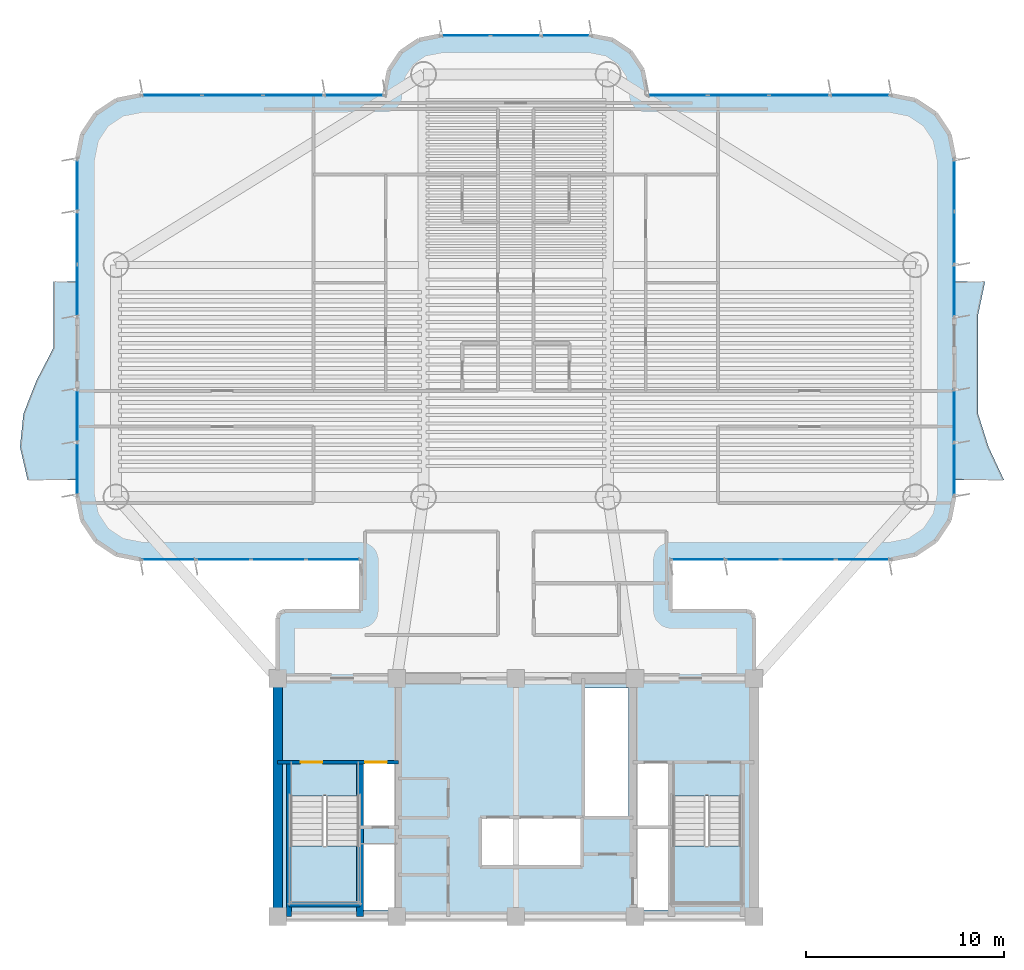
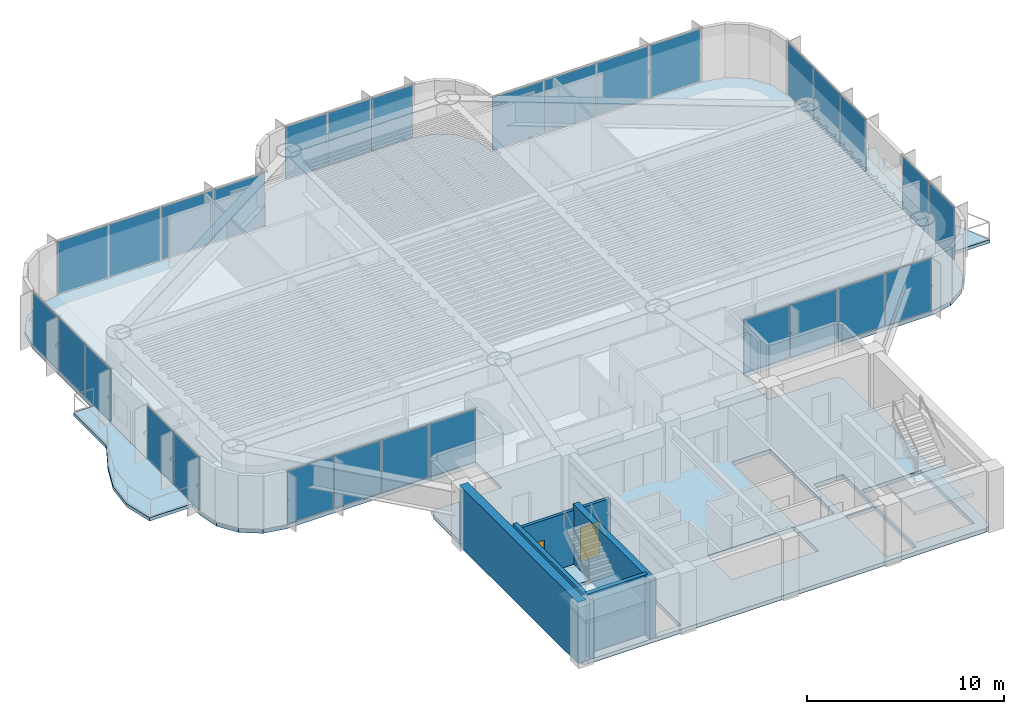
# One storey, part 7 of 15: 29 plates, 5 slabs, 5 walls, 2 doors, 2 openings, 11 elements without a shape of their own.
"""IFC4 building model written with IfcOpenShell, lengths in metres."""

from ifc_helpers import new_model, si_unit, direction, frame, frame_2d, origin, origin_2d, place, context, subcontext, project, spatial, polyline, rectangle, outline, extrude, source, transform, mapped, material, layer, layer_set, type_object, element, fill, aggregate, save


model = new_model("IFC4")

# Units and contexts
model_context = context("Model", 3, precision=1e-05, world=origin(), true_north=direction((0.0, 1.0)))
body_context = subcontext(model_context, "Body", "Model", "MODEL_VIEW")
ifc_project = project(units=[si_unit("LENGTHUNIT", "METRE"), si_unit("AREAUNIT", "SQUARE_METRE"), si_unit("VOLUMEUNIT", "CUBIC_METRE"), si_unit("PLANEANGLEUNIT", "RADIAN"), si_unit("MASSUNIT", "GRAM", prefix="KILO")], contexts=[model_context])

# Site, building, storey
site_placement = place(None, origin())
site = spatial("IfcSite", under=ifc_project, at=site_placement, CompositionType="ELEMENT")
building_placement = place(site_placement, origin())
building = spatial("IfcBuilding", under=site, at=building_placement, Name="Brelvock Crest Care Tower", CompositionType="ELEMENT")
storey_placement = place(building_placement, frame((0.0, 0.0, 142.739990234375)))
storey = spatial("IfcBuildingStorey", under=building, at=storey_placement, Name="L36", CompositionType="ELEMENT", Elevation=142.739990234375)

# Slabs
ifc_material_1 = material(Name="Concrete N50 (50 MPa)", Category="concrete")
ifc_layer_1 = layer(ifc_material_1, 0.25, Name="SLB-FL3")
ifc_layer_set_1 = layer_set([ifc_layer_1], Name="Concrete N50 (50 MPa)")
slab_type_1 = type_object("IfcSlabType", Name="SLB-FL3", PredefinedType="FLOOR", material=ifc_layer_set_1)
slab_1_placement = place(storey_placement, frame((0.0, 0.0, -0.25)))
element("IfcSlab", 1, at=slab_1_placement, inside=storey, type_object=slab_type_1, Name="L36 Main Structural Slab", PredefinedType="FLOOR", context=body_context, shape_type="SweptSolid", body=[
    extrude(outline(polyline([(47.64990234375, 21.39990234375), (43.800048828125, 21.39990234375), (43.800048828125, 24.0), (54.89990234375, 24.0), (56.12451171875, 24.24365234375), (57.16259765625, 24.937255859375), (57.8564453125, 25.975341796875), (58.10009765625, 27.199951171875), (58.10009765625, 44.199951171875), (57.8564453125, 45.424560546875), (57.16259765625, 46.462646484375), (56.12451171875, 47.156494140625), (54.89990234375, 47.39990234375), (42.60009765625, 47.39990234375), (42.60009765625, 47.60009765625), (42.386962890625, 48.67138671875), (41.77978515625, 49.579833984375), (40.87158203125, 50.18701171875), (39.800048828125, 50.39990234375), (32.199951171875, 50.39990234375), (31.12841796875, 50.18701171875), (30.22021484375, 49.579833984375), (29.613037109375, 48.67138671875), (29.39990234375, 47.60009765625), (29.39990234375, 47.39990234375), (17.10009765625, 47.39990234375), (15.87548828125, 47.156494140625), (14.83740234375, 46.462646484375), (14.1435546875, 45.424560546875), (13.89990234375, 44.199951171875), (13.89990234375, 27.199951171875), (14.1435546875, 25.975341796875), (14.83740234375, 24.937255859375), (15.87548828125, 24.24365234375), (17.10009765625, 24.0), (28.199951171875, 24.0), (28.199951171875, 21.39990234375), (24.35009765625, 21.39990234375), (24.1025390625, 21.297607421875), (24.0, 21.050048828125), (24.0, 6.35009765625), (24.1025390625, 6.1025390625), (24.35009765625, 6.0), (47.64990234375, 6.0), (47.8974609375, 6.1025390625), (48.0, 6.35009765625), (48.0, 21.050048828125), (47.8974609375, 21.297607421875), (47.64990234375, 21.39990234375)]), holes=[polyline([(28.239990234375, 10.580078125), (29.97998046875, 10.580078125), (29.97998046875, 13.739990234375), (28.239990234375, 13.739990234375), (28.239990234375, 10.580078125)]), polyline([(42.02001953125, 10.580078125), (43.760009765625, 10.580078125), (43.760009765625, 13.739990234375), (42.02001953125, 13.739990234375), (42.02001953125, 10.580078125)]), polyline([(28.239990234375, 6.340087890625), (29.97998046875, 6.340087890625), (29.97998046875, 9.64990234375), (28.239990234375, 9.64990234375), (28.239990234375, 6.340087890625)]), polyline([(24.6298828125, 12.080078125), (24.6298828125, 6.699951171875), (28.110107421875, 6.699951171875), (28.110107421875, 12.080078125), (24.6298828125, 12.080078125)]), polyline([(43.889892578125, 12.080078125), (43.889892578125, 6.699951171875), (47.3701171875, 6.699951171875), (47.3701171875, 12.080078125), (43.889892578125, 12.080078125)]), polyline([(42.02001953125, 6.340087890625), (43.760009765625, 6.340087890625), (43.760009765625, 10.5), (42.02001953125, 10.5), (42.02001953125, 6.340087890625)]), polyline([(34.22998046875, 8.530029296875), (39.320068359375, 8.530029296875), (39.320068359375, 10.969970703125), (34.22998046875, 10.969970703125), (34.22998046875, 8.530029296875)]), polyline([(39.429931640625, 11.030029296875), (41.669921875, 11.030029296875), (41.669921875, 17.52001953125), (39.429931640625, 17.52001953125), (39.429931640625, 11.030029296875)])]), origin(), (0.0, 0.0, 1.0), 0.25),
])
ifc_layer_2 = layer(ifc_material_1, 0.199951171875, Name="SLB-WB2")
ifc_layer_set_2 = layer_set([ifc_layer_2], Name="Concrete N50 (50 MPa)")
slab_type_2 = type_object("IfcSlabType", Name="SLB-WB2", PredefinedType="FLOOR", material=ifc_layer_set_2)
slab_2_placement = place(storey_placement, frame((0.0, 0.0, -0.199951171875)))
element("IfcSlab", 2, at=slab_2_placement, inside=storey, type_object=slab_type_2, Name="L36 W Sinusoidal Wave Balcony Slab", PredefinedType="FLOOR", context=body_context, shape_type="SweptSolid", body=[
    extrude(outline(polyline([(13.89990234375, 38.0), (12.699951171875, 38.0), (12.699951171875, 36.333251953125), (12.699462890625, 34.666748046875), (11.83349609375, 33.0), (11.180908203125, 31.333251953125), (11.011474609375, 29.666748046875), (11.3955078125, 28.0), (13.89990234375, 28.0), (13.89990234375, 38.0)])), origin(), (0.0, 0.0, 1.0), 0.199951171875),
])
slab_3_placement = place(storey_placement, frame((0.0, 0.0, -0.199951171875)))
element("IfcSlab", 3, at=slab_3_placement, inside=storey, type_object=slab_type_2, Name="L36 E Sinusoidal Wave Balcony Slab", PredefinedType="FLOOR", context=body_context, shape_type="SweptSolid", body=[
    extrude(outline(polyline([(58.10009765625, 28.0), (60.6044921875, 28.0), (59.826171875, 29.666748046875), (59.300048828125, 31.333251953125), (59.300048828125, 33.0), (59.300048828125, 34.666748046875), (59.300048828125, 36.333251953125), (59.64990234375, 38.0), (58.10009765625, 38.0), (58.10009765625, 28.0)])), origin(), (0.0, 0.0, 1.0), 0.199951171875),
])

# Stair, slab
ifc_material_2 = material(Name="Concrete N40 (40 MPa)", Category="concrete")
stair_type = type_object("IfcStairType", Name="ST-CORE1", PredefinedType="HALF_TURN_STAIR", material=ifc_material_2)
stair_1_placement = place(storey_placement, origin())
stair_1 = element("IfcStair", 4, at=stair_1_placement, inside=storey, type_object=stair_type, Name="L36 Fire-Isolated Core Stair ST-1", PredefinedType="HALF_TURN_STAIR")
ifc_layer_3 = layer(ifc_material_2, 0.199951171875, Name="STL-1")
ifc_layer_set_3 = layer_set([ifc_layer_3], Name="Concrete N40 (40 MPa)")
slab_type_3 = type_object("IfcSlabType", Name="STL-1", PredefinedType="LANDING", material=ifc_layer_set_3)
slab_4_placement = place(storey_placement, frame((0.0, 0.0, 1.68994140625)))
slab_4 = element("IfcSlab", 5, at=slab_4_placement, type_object=slab_type_3, Name="ST-1 landing 1", PredefinedType="LANDING", context=body_context, shape_type="SweptSolid", body=[
    extrude(outline(polyline([(24.6298828125, 9.56005859375), (24.6298828125, 6.699951171875), (28.110107421875, 6.699951171875), (28.110107421875, 9.56005859375), (24.6298828125, 9.56005859375)])), origin(), (0.0, 0.0, 1.0), 0.199951171875),
])
aggregate(stair_1, [slab_4])

stair_2_placement = place(storey_placement, origin())
stair_2 = element("IfcStair", 6, at=stair_2_placement, inside=storey, type_object=stair_type, Name="L36 Fire-Isolated Core Stair ST-2", PredefinedType="HALF_TURN_STAIR")
slab_5_placement = place(storey_placement, frame((0.0, 0.0, 1.68994140625)))
slab_5 = element("IfcSlab", 7, at=slab_5_placement, type_object=slab_type_3, Name="ST-2 landing 1", PredefinedType="LANDING", context=body_context, shape_type="SweptSolid", body=[
    extrude(outline(polyline([(43.889892578125, 9.56005859375), (43.889892578125, 6.699951171875), (47.3701171875, 6.699951171875), (47.3701171875, 9.56005859375), (43.889892578125, 9.56005859375)])), origin(), (0.0, 0.0, 1.0), 0.199951171875),
])
aggregate(stair_2, [slab_5])

# Curtain wall, plates
ifc_material_3 = material(Name="Dark Glass Double Glazed Low-E", Category="glass")
ifc_layer_4 = layer(ifc_material_3, 0.2099609375, Name="CWS-3")
ifc_layer_set_4 = layer_set([ifc_layer_4], Name="Dark Glass Double Glazed Low-E")
curtain_wall_type = type_object("IfcCurtainWallType", Name="CWS-3", PredefinedType="NOTDEFINED", material=ifc_layer_set_4)
curtain_wall_1_placement = place(storey_placement, origin())
curtain_wall_1 = element("IfcCurtainWall", 8, at=curtain_wall_1_placement, inside=storey, type_object=curtain_wall_type, Name="L36 Curtain Wall E12", PredefinedType="NOTDEFINED")
ifc_layer_5 = layer(ifc_material_3, 0.031982421875, Name="CWP-V1")
ifc_layer_set_5 = layer_set([ifc_layer_5], Name="Dark Glass Double Glazed Low-E")
plate_type = type_object("IfcPlateType", Name="CWP-V1", PredefinedType="CURTAIN_PANEL", material=ifc_layer_set_5)
shared_shape_1 = source(origin(), body_context, "Body", "SweptSolid", [
    extrude(rectangle(XDim=2.68505859375, YDim=0.035888671875, at=origin_2d()), origin(), (0.0, 0.0, 1.0), 3.251953125),
])
plate_1_placement = place(storey_placement, frame((26.797607421875, 24.0, 0.06005859375), z_axis=(0.0, 0.0, 1.0), x_axis=(-1.0, 0.0, 0.0)))
plate_1 = element("IfcPlate", 9, at=plate_1_placement, type_object=plate_type, Name="CW-3 panel 1.1", PredefinedType="CURTAIN_PANEL", context=body_context, shape_type="MappedRepresentation", body=[
    mapped(shared_shape_1, transform((0.0, 0.0, 0.0), x_axis=(1.0, 0.0, 0.0), y_axis=(0.0, 1.0, 0.0), z_axis=(0.0, 0.0, 1.0), scale=1.0)),
])
plate_2_placement = place(storey_placement, frame((18.50244140625, 24.0, 0.06005859375), z_axis=(0.0, 0.0, 1.0), x_axis=(-1.0, 0.0, 0.0)))
plate_2 = element("IfcPlate", 10, at=plate_2_placement, type_object=plate_type, Name="CW-3 panel 4.1", PredefinedType="CURTAIN_PANEL", context=body_context, shape_type="MappedRepresentation", body=[
    mapped(shared_shape_1, transform((0.0, 0.0, 0.0), x_axis=(1.0, 0.0, 0.0), y_axis=(0.0, 1.0, 0.0), z_axis=(0.0, 0.0, 1.0), scale=1.0)),
])

curtain_wall_2_placement = place(storey_placement, origin())
curtain_wall_2 = element("IfcCurtainWall", 11, at=curtain_wall_2_placement, inside=storey, type_object=curtain_wall_type, Name="L36 Curtain Wall E44", PredefinedType="NOTDEFINED")
plate_3_placement = place(storey_placement, frame((53.49755859375, 24.0, 0.06005859375), z_axis=(0.0, 0.0, 1.0), x_axis=(-1.0, 0.0, 0.0)))
plate_3 = element("IfcPlate", 12, at=plate_3_placement, type_object=plate_type, Name="CW-3 panel 1.1", PredefinedType="CURTAIN_PANEL", context=body_context, shape_type="MappedRepresentation", body=[
    mapped(shared_shape_1, transform((0.0, 0.0, 0.0), x_axis=(1.0, 0.0, 0.0), y_axis=(0.0, 1.0, 0.0), z_axis=(0.0, 0.0, 1.0), scale=1.0)),
])
plate_4_placement = place(storey_placement, frame((45.202392578125, 24.0, 0.06005859375), z_axis=(0.0, 0.0, 1.0), x_axis=(-1.0, 0.0, 0.0)))
plate_4 = element("IfcPlate", 13, at=plate_4_placement, type_object=plate_type, Name="CW-3 panel 4.1", PredefinedType="CURTAIN_PANEL", context=body_context, shape_type="MappedRepresentation", body=[
    mapped(shared_shape_1, transform((0.0, 0.0, 0.0), x_axis=(1.0, 0.0, 0.0), y_axis=(0.0, 1.0, 0.0), z_axis=(0.0, 0.0, 1.0), scale=1.0)),
])

# Plate
shared_shape_2 = source(origin(), body_context, "Body", "SweptSolid", [
    extrude(rectangle(XDim=2.715087890625, YDim=0.035888671875, at=origin_2d()), origin(), (0.0, 0.0, 1.0), 3.251953125),
])
plate_5_placement = place(storey_placement, frame((24.03759765625, 24.0, 0.06005859375), z_axis=(0.0, 0.0, 1.0), x_axis=(-1.0, 0.0, 0.0)))
plate_5 = element("IfcPlate", 14, at=plate_5_placement, type_object=plate_type, Name="CW-3 panel 2.1", PredefinedType="CURTAIN_PANEL", context=body_context, shape_type="MappedRepresentation", body=[
    mapped(shared_shape_2, transform((0.0, 0.0, 0.0), x_axis=(1.0, 0.0, 0.0), y_axis=(0.0, 1.0, 0.0), z_axis=(0.0, 0.0, 1.0), scale=1.0)),
])

plate_6_placement = place(storey_placement, frame((21.262451171875, 24.0, 0.06005859375), z_axis=(0.0, 0.0, 1.0), x_axis=(-1.0, 0.0, 0.0)))
plate_6 = element("IfcPlate", 15, at=plate_6_placement, type_object=plate_type, Name="CW-3 panel 3.1", PredefinedType="CURTAIN_PANEL", context=body_context, shape_type="MappedRepresentation", body=[
    mapped(shared_shape_2, transform((0.0, 0.0, 0.0), x_axis=(1.0, 0.0, 0.0), y_axis=(0.0, 1.0, 0.0), z_axis=(0.0, 0.0, 1.0), scale=1.0)),
])

aggregate(curtain_wall_1, [plate_1, plate_5, plate_6, plate_2])

plate_7_placement = place(storey_placement, frame((50.737548828125, 24.0, 0.06005859375), z_axis=(0.0, 0.0, 1.0), x_axis=(-1.0, 0.0, 0.0)))
plate_7 = element("IfcPlate", 16, at=plate_7_placement, type_object=plate_type, Name="CW-3 panel 2.1", PredefinedType="CURTAIN_PANEL", context=body_context, shape_type="MappedRepresentation", body=[
    mapped(shared_shape_2, transform((0.0, 0.0, 0.0), x_axis=(1.0, 0.0, 0.0), y_axis=(0.0, 1.0, 0.0), z_axis=(0.0, 0.0, 1.0), scale=1.0)),
])

plate_8_placement = place(storey_placement, frame((47.96240234375, 24.0, 0.06005859375), z_axis=(0.0, 0.0, 1.0), x_axis=(-1.0, 0.0, 0.0)))
plate_8 = element("IfcPlate", 17, at=plate_8_placement, type_object=plate_type, Name="CW-3 panel 3.1", PredefinedType="CURTAIN_PANEL", context=body_context, shape_type="MappedRepresentation", body=[
    mapped(shared_shape_2, transform((0.0, 0.0, 0.0), x_axis=(1.0, 0.0, 0.0), y_axis=(0.0, 1.0, 0.0), z_axis=(0.0, 0.0, 1.0), scale=1.0)),
])

aggregate(curtain_wall_2, [plate_3, plate_7, plate_8, plate_4])

# Curtain wall, plates
curtain_wall_3_placement = place(storey_placement, origin())
curtain_wall_3 = element("IfcCurtainWall", 18, at=curtain_wall_3_placement, inside=storey, type_object=curtain_wall_type, Name="L36 Curtain Wall E17A", PredefinedType="NOTDEFINED")
shared_shape_3 = source(origin(), body_context, "Body", "SweptSolid", [
    extrude(rectangle(XDim=2.610107421875, YDim=0.035888671875, at=origin_2d()), origin(), (0.0, 0.0, 1.0), 3.251953125),
])
plate_9_placement = place(storey_placement, frame((13.89990234375, 28.56494140625, 0.06005859375), z_axis=(0.0, 0.0, 1.0), x_axis=(0.0, 1.0, 0.0)))
plate_9 = element("IfcPlate", 19, at=plate_9_placement, type_object=plate_type, Name="CW-3 panel 1.1", PredefinedType="CURTAIN_PANEL", context=body_context, shape_type="MappedRepresentation", body=[
    mapped(shared_shape_3, transform((0.0, 0.0, 0.0), x_axis=(1.0, 0.0, 0.0), y_axis=(0.0, 1.0, 0.0), z_axis=(0.0, 0.0, 1.0), scale=1.0)),
])
plate_10_placement = place(storey_placement, frame((13.89990234375, 31.235107421875, 0.06005859375), z_axis=(0.0, 0.0, 1.0), x_axis=(0.0, 1.0, 0.0)))
plate_10 = element("IfcPlate", 20, at=plate_10_placement, type_object=plate_type, Name="CW-3 panel 2.1", PredefinedType="CURTAIN_PANEL", context=body_context, shape_type="MappedRepresentation", body=[
    mapped(shared_shape_3, transform((0.0, 0.0, 0.0), x_axis=(1.0, 0.0, 0.0), y_axis=(0.0, 1.0, 0.0), z_axis=(0.0, 0.0, 1.0), scale=1.0)),
])
aggregate(curtain_wall_3, [plate_9, plate_10])

curtain_wall_4_placement = place(storey_placement, origin())
curtain_wall_4 = element("IfcCurtainWall", 21, at=curtain_wall_4_placement, inside=storey, type_object=curtain_wall_type, Name="L36 Curtain Wall E39B", PredefinedType="NOTDEFINED")
plate_11_placement = place(storey_placement, frame((58.10009765625, 31.235107421875, 0.06005859375), z_axis=(0.0, 0.0, 1.0), x_axis=(0.0, -1.0, 0.0)))
plate_11 = element("IfcPlate", 22, at=plate_11_placement, type_object=plate_type, Name="CW-3 panel 1.1", PredefinedType="CURTAIN_PANEL", context=body_context, shape_type="MappedRepresentation", body=[
    mapped(shared_shape_3, transform((0.0, 0.0, 0.0), x_axis=(1.0, 0.0, 0.0), y_axis=(0.0, 1.0, 0.0), z_axis=(0.0, 0.0, 1.0), scale=1.0)),
])
plate_12_placement = place(storey_placement, frame((58.10009765625, 28.56494140625, 0.06005859375), z_axis=(0.0, 0.0, 1.0), x_axis=(0.0, -1.0, 0.0)))
plate_12 = element("IfcPlate", 23, at=plate_12_placement, type_object=plate_type, Name="CW-3 panel 2.1", PredefinedType="CURTAIN_PANEL", context=body_context, shape_type="MappedRepresentation", body=[
    mapped(shared_shape_3, transform((0.0, 0.0, 0.0), x_axis=(1.0, 0.0, 0.0), y_axis=(0.0, 1.0, 0.0), z_axis=(0.0, 0.0, 1.0), scale=1.0)),
])
aggregate(curtain_wall_4, [plate_11, plate_12])

curtain_wall_5_placement = place(storey_placement, origin())
curtain_wall_5 = element("IfcCurtainWall", 24, at=curtain_wall_5_placement, inside=storey, type_object=curtain_wall_type, Name="L36 Curtain Wall E17B", PredefinedType="NOTDEFINED")
shared_shape_4 = source(origin(), body_context, "Body", "SweptSolid", [
    extrude(rectangle(XDim=2.57666015625, YDim=0.035888671875, at=origin_2d()), origin(), (0.0, 0.0, 1.0), 3.251953125),
])
plate_13_placement = place(storey_placement, frame((13.89990234375, 37.54833984375, 0.06005859375), z_axis=(0.0, 0.0, 1.0), x_axis=(0.0, 1.0, 0.0)))
plate_13 = element("IfcPlate", 25, at=plate_13_placement, type_object=plate_type, Name="CW-3 panel 1.1", PredefinedType="CURTAIN_PANEL", context=body_context, shape_type="MappedRepresentation", body=[
    mapped(shared_shape_4, transform((0.0, 0.0, 0.0), x_axis=(1.0, 0.0, 0.0), y_axis=(0.0, 1.0, 0.0), z_axis=(0.0, 0.0, 1.0), scale=1.0)),
])
plate_14_placement = place(storey_placement, frame((13.89990234375, 42.8515625, 0.06005859375), z_axis=(0.0, 0.0, 1.0), x_axis=(0.0, 1.0, 0.0)))
plate_14 = element("IfcPlate", 26, at=plate_14_placement, type_object=plate_type, Name="CW-3 panel 3.1", PredefinedType="CURTAIN_PANEL", context=body_context, shape_type="MappedRepresentation", body=[
    mapped(shared_shape_4, transform((0.0, 0.0, 0.0), x_axis=(1.0, 0.0, 0.0), y_axis=(0.0, 1.0, 0.0), z_axis=(0.0, 0.0, 1.0), scale=1.0)),
])

curtain_wall_6_placement = place(storey_placement, origin())
curtain_wall_6 = element("IfcCurtainWall", 27, at=curtain_wall_6_placement, inside=storey, type_object=curtain_wall_type, Name="L36 Curtain Wall E39A", PredefinedType="NOTDEFINED")
plate_15_placement = place(storey_placement, frame((58.10009765625, 42.8515625, 0.06005859375), z_axis=(0.0, 0.0, 1.0), x_axis=(0.0, -1.0, 0.0)))
plate_15 = element("IfcPlate", 28, at=plate_15_placement, type_object=plate_type, Name="CW-3 panel 1.1", PredefinedType="CURTAIN_PANEL", context=body_context, shape_type="MappedRepresentation", body=[
    mapped(shared_shape_4, transform((0.0, 0.0, 0.0), x_axis=(1.0, 0.0, 0.0), y_axis=(0.0, 1.0, 0.0), z_axis=(0.0, 0.0, 1.0), scale=1.0)),
])
plate_16_placement = place(storey_placement, frame((58.10009765625, 37.54833984375, 0.06005859375), z_axis=(0.0, 0.0, 1.0), x_axis=(0.0, -1.0, 0.0)))
plate_16 = element("IfcPlate", 29, at=plate_16_placement, type_object=plate_type, Name="CW-3 panel 3.1", PredefinedType="CURTAIN_PANEL", context=body_context, shape_type="MappedRepresentation", body=[
    mapped(shared_shape_4, transform((0.0, 0.0, 0.0), x_axis=(1.0, 0.0, 0.0), y_axis=(0.0, 1.0, 0.0), z_axis=(0.0, 0.0, 1.0), scale=1.0)),
])

# Plate
shared_shape_5 = source(origin(), body_context, "Body", "SweptSolid", [
    extrude(rectangle(XDim=2.606689453125, YDim=0.035888671875, at=origin_2d()), origin(), (0.0, 0.0, 1.0), 3.251953125),
])
plate_17_placement = place(storey_placement, frame((13.89990234375, 40.199951171875, 0.06005859375), z_axis=(0.0, 0.0, 1.0), x_axis=(0.0, 1.0, 0.0)))
plate_17 = element("IfcPlate", 30, at=plate_17_placement, type_object=plate_type, Name="CW-3 panel 2.1", PredefinedType="CURTAIN_PANEL", context=body_context, shape_type="MappedRepresentation", body=[
    mapped(shared_shape_5, transform((0.0, 0.0, 0.0), x_axis=(1.0, 0.0, 0.0), y_axis=(0.0, 1.0, 0.0), z_axis=(0.0, 0.0, 1.0), scale=1.0)),
])

aggregate(curtain_wall_5, [plate_13, plate_17, plate_14])

plate_18_placement = place(storey_placement, frame((58.10009765625, 40.199951171875, 0.06005859375), z_axis=(0.0, 0.0, 1.0), x_axis=(0.0, -1.0, 0.0)))
plate_18 = element("IfcPlate", 31, at=plate_18_placement, type_object=plate_type, Name="CW-3 panel 2.1", PredefinedType="CURTAIN_PANEL", context=body_context, shape_type="MappedRepresentation", body=[
    mapped(shared_shape_5, transform((0.0, 0.0, 0.0), x_axis=(1.0, 0.0, 0.0), y_axis=(0.0, 1.0, 0.0), z_axis=(0.0, 0.0, 1.0), scale=1.0)),
])

aggregate(curtain_wall_6, [plate_15, plate_18, plate_16])

# Curtain wall, plates
curtain_wall_7_placement = place(storey_placement, origin())
curtain_wall_7 = element("IfcCurtainWall", 32, at=curtain_wall_7_placement, inside=storey, type_object=curtain_wall_type, Name="L36 Curtain Wall E22", PredefinedType="NOTDEFINED")
shared_shape_6 = source(origin(), body_context, "Body", "SweptSolid", [
    extrude(rectangle(XDim=2.985107421875, YDim=0.035888671875, at=origin_2d()), origin(), (0.0, 0.0, 1.0), 3.251953125),
])
plate_19_placement = place(storey_placement, frame((18.652587890625, 47.39990234375, 0.06005859375), z_axis=(0.0, 0.0, 1.0), x_axis=(1.0, 0.0, 0.0)))
plate_19 = element("IfcPlate", 33, at=plate_19_placement, type_object=plate_type, Name="CW-3 panel 1.1", PredefinedType="CURTAIN_PANEL", context=body_context, shape_type="MappedRepresentation", body=[
    mapped(shared_shape_6, transform((0.0, 0.0, 0.0), x_axis=(1.0, 0.0, 0.0), y_axis=(0.0, 1.0, 0.0), z_axis=(0.0, 0.0, 1.0), scale=1.0)),
])
plate_20_placement = place(storey_placement, frame((27.847412109375, 47.39990234375, 0.06005859375), z_axis=(0.0, 0.0, 1.0), x_axis=(1.0, 0.0, 0.0)))
plate_20 = element("IfcPlate", 34, at=plate_20_placement, type_object=plate_type, Name="CW-3 panel 4.1", PredefinedType="CURTAIN_PANEL", context=body_context, shape_type="MappedRepresentation", body=[
    mapped(shared_shape_6, transform((0.0, 0.0, 0.0), x_axis=(1.0, 0.0, 0.0), y_axis=(0.0, 1.0, 0.0), z_axis=(0.0, 0.0, 1.0), scale=1.0)),
])

curtain_wall_8_placement = place(storey_placement, origin())
curtain_wall_8 = element("IfcCurtainWall", 35, at=curtain_wall_8_placement, inside=storey, type_object=curtain_wall_type, Name="L36 Curtain Wall E34", PredefinedType="NOTDEFINED")
plate_21_placement = place(storey_placement, frame((44.152587890625, 47.39990234375, 0.06005859375), z_axis=(0.0, 0.0, 1.0), x_axis=(1.0, 0.0, 0.0)))
plate_21 = element("IfcPlate", 36, at=plate_21_placement, type_object=plate_type, Name="CW-3 panel 1.1", PredefinedType="CURTAIN_PANEL", context=body_context, shape_type="MappedRepresentation", body=[
    mapped(shared_shape_6, transform((0.0, 0.0, 0.0), x_axis=(1.0, 0.0, 0.0), y_axis=(0.0, 1.0, 0.0), z_axis=(0.0, 0.0, 1.0), scale=1.0)),
])
plate_22_placement = place(storey_placement, frame((53.347412109375, 47.39990234375, 0.06005859375), z_axis=(0.0, 0.0, 1.0), x_axis=(1.0, 0.0, 0.0)))
plate_22 = element("IfcPlate", 37, at=plate_22_placement, type_object=plate_type, Name="CW-3 panel 4.1", PredefinedType="CURTAIN_PANEL", context=body_context, shape_type="MappedRepresentation", body=[
    mapped(shared_shape_6, transform((0.0, 0.0, 0.0), x_axis=(1.0, 0.0, 0.0), y_axis=(0.0, 1.0, 0.0), z_axis=(0.0, 0.0, 1.0), scale=1.0)),
])

# Plate
shared_shape_7 = source(origin(), body_context, "Body", "SweptSolid", [
    extrude(rectangle(XDim=3.014892578125, YDim=0.035888671875, at=origin_2d()), origin(), (0.0, 0.0, 1.0), 3.251953125),
])
plate_23_placement = place(storey_placement, frame((21.71240234375, 47.39990234375, 0.06005859375), z_axis=(0.0, 0.0, 1.0), x_axis=(1.0, 0.0, 0.0)))
plate_23 = element("IfcPlate", 38, at=plate_23_placement, type_object=plate_type, Name="CW-3 panel 2.1", PredefinedType="CURTAIN_PANEL", context=body_context, shape_type="MappedRepresentation", body=[
    mapped(shared_shape_7, transform((0.0, 0.0, 0.0), x_axis=(1.0, 0.0, 0.0), y_axis=(0.0, 1.0, 0.0), z_axis=(0.0, 0.0, 1.0), scale=1.0)),
])

plate_24_placement = place(storey_placement, frame((24.78759765625, 47.39990234375, 0.06005859375), z_axis=(0.0, 0.0, 1.0), x_axis=(1.0, 0.0, 0.0)))
plate_24 = element("IfcPlate", 39, at=plate_24_placement, type_object=plate_type, Name="CW-3 panel 3.1", PredefinedType="CURTAIN_PANEL", context=body_context, shape_type="MappedRepresentation", body=[
    mapped(shared_shape_7, transform((0.0, 0.0, 0.0), x_axis=(1.0, 0.0, 0.0), y_axis=(0.0, 1.0, 0.0), z_axis=(0.0, 0.0, 1.0), scale=1.0)),
])

aggregate(curtain_wall_7, [plate_19, plate_23, plate_24, plate_20])

plate_25_placement = place(storey_placement, frame((47.21240234375, 47.39990234375, 0.06005859375), z_axis=(0.0, 0.0, 1.0), x_axis=(1.0, 0.0, 0.0)))
plate_25 = element("IfcPlate", 40, at=plate_25_placement, type_object=plate_type, Name="CW-3 panel 2.1", PredefinedType="CURTAIN_PANEL", context=body_context, shape_type="MappedRepresentation", body=[
    mapped(shared_shape_7, transform((0.0, 0.0, 0.0), x_axis=(1.0, 0.0, 0.0), y_axis=(0.0, 1.0, 0.0), z_axis=(0.0, 0.0, 1.0), scale=1.0)),
])

plate_26_placement = place(storey_placement, frame((50.28759765625, 47.39990234375, 0.06005859375), z_axis=(0.0, 0.0, 1.0), x_axis=(1.0, 0.0, 0.0)))
plate_26 = element("IfcPlate", 41, at=plate_26_placement, type_object=plate_type, Name="CW-3 panel 3.1", PredefinedType="CURTAIN_PANEL", context=body_context, shape_type="MappedRepresentation", body=[
    mapped(shared_shape_7, transform((0.0, 0.0, 0.0), x_axis=(1.0, 0.0, 0.0), y_axis=(0.0, 1.0, 0.0), z_axis=(0.0, 0.0, 1.0), scale=1.0)),
])

aggregate(curtain_wall_8, [plate_21, plate_25, plate_26, plate_22])

# Curtain wall, plates
curtain_wall_9_placement = place(storey_placement, origin())
curtain_wall_9 = element("IfcCurtainWall", 42, at=curtain_wall_9_placement, inside=storey, type_object=curtain_wall_type, Name="L36 Curtain Wall E28", PredefinedType="NOTDEFINED")
shared_shape_8 = source(origin(), body_context, "Body", "SweptSolid", [
    extrude(rectangle(XDim=2.443359375, YDim=0.035888671875, at=origin_2d()), origin(), (0.0, 0.0, 1.0), 3.251953125),
])
plate_27_placement = place(storey_placement, frame((33.481689453125, 50.39990234375, 0.06005859375), z_axis=(0.0, 0.0, 1.0), x_axis=(1.0, 0.0, 0.0)))
plate_27 = element("IfcPlate", 43, at=plate_27_placement, type_object=plate_type, Name="CW-3 panel 1.1", PredefinedType="CURTAIN_PANEL", context=body_context, shape_type="MappedRepresentation", body=[
    mapped(shared_shape_8, transform((0.0, 0.0, 0.0), x_axis=(1.0, 0.0, 0.0), y_axis=(0.0, 1.0, 0.0), z_axis=(0.0, 0.0, 1.0), scale=1.0)),
])
plate_28_placement = place(storey_placement, frame((38.518310546875, 50.39990234375, 0.06005859375), z_axis=(0.0, 0.0, 1.0), x_axis=(1.0, 0.0, 0.0)))
plate_28 = element("IfcPlate", 44, at=plate_28_placement, type_object=plate_type, Name="CW-3 panel 3.1", PredefinedType="CURTAIN_PANEL", context=body_context, shape_type="MappedRepresentation", body=[
    mapped(shared_shape_8, transform((0.0, 0.0, 0.0), x_axis=(1.0, 0.0, 0.0), y_axis=(0.0, 1.0, 0.0), z_axis=(0.0, 0.0, 1.0), scale=1.0)),
])
shared_shape_9 = source(origin(), body_context, "Body", "SweptSolid", [
    extrude(rectangle(XDim=2.473388671875, YDim=0.035888671875, at=origin_2d()), origin(), (0.0, 0.0, 1.0), 3.251953125),
])
plate_29_placement = place(storey_placement, frame((36.0, 50.39990234375, 0.06005859375), z_axis=(0.0, 0.0, 1.0), x_axis=(1.0, 0.0, 0.0)))
plate_29 = element("IfcPlate", 45, at=plate_29_placement, type_object=plate_type, Name="CW-3 panel 2.1", PredefinedType="CURTAIN_PANEL", context=body_context, shape_type="MappedRepresentation", body=[
    mapped(shared_shape_9, transform((0.0, 0.0, 0.0), x_axis=(1.0, 0.0, 0.0), y_axis=(0.0, 1.0, 0.0), z_axis=(0.0, 0.0, 1.0), scale=1.0)),
])
aggregate(curtain_wall_9, [plate_27, plate_29, plate_28])

# Walls
ifc_material_4 = material(Name="Concrete S80 (80 MPa)", Category="concrete")
ifc_layer_6 = layer(ifc_material_4, 0.5, Name="WL-CS2")
ifc_layer_set_6 = layer_set([ifc_layer_6], Name="Concrete S80 (80 MPa)")
wall_type_1 = type_object("IfcWallType", Name="WL-CS2", PredefinedType="SHEAR", material=ifc_layer_set_6)
wall_1_placement = place(storey_placement, frame((24.0, 6.0, 0.0), z_axis=(0.0, 0.0, 1.0), x_axis=(0.0, 1.0, 0.0)))
element("IfcWall", 46, at=wall_1_placement, inside=storey, type_object=wall_type_1, Name="L36 Core West Shear Wall", PredefinedType="SHEAR", context=body_context, shape_type="SweptSolid", body=[
    extrude(rectangle(XDim=12.0, YDim=0.5, at=frame_2d((6.0, 0.0))), origin(), (0.0, 0.0, 1.0), 3.780029296875),
])
ifc_layer_7 = layer(ifc_material_4, 0.35009765625, Name="WL-CS5")
ifc_layer_set_7 = layer_set([ifc_layer_7], Name="Concrete S80 (80 MPa)")
wall_type_2 = type_object("IfcWallType", Name="WL-CS5", PredefinedType="SHEAR", material=ifc_layer_set_7)
wall_2_placement = place(storey_placement, frame((28.14990234375, 6.0, 0.0), z_axis=(0.0, 0.0, 1.0), x_axis=(0.0, 1.0, 0.0)))
element("IfcWall", 47, at=wall_2_placement, inside=storey, type_object=wall_type_2, Name="L36 Core Stair ST-1 East Shear Wall", PredefinedType="SHEAR", context=body_context, shape_type="SweptSolid", body=[
    extrude(rectangle(XDim=7.780029296875, YDim=0.35009765625, at=frame_2d((3.89013671875, 0.0))), origin(), (0.0, 0.0, 1.0), 3.69189453125),
])
ifc_layer_8 = layer(ifc_material_4, 0.25, Name="WL-CS6")
ifc_layer_set_8 = layer_set([ifc_layer_8], Name="Concrete S80 (80 MPa)")
wall_type_3 = type_object("IfcWallType", Name="WL-CS6", PredefinedType="SHEAR", material=ifc_layer_set_8)
wall_3_placement = place(storey_placement, frame((24.580078125, 6.0, 0.0), z_axis=(0.0, 0.0, 1.0), x_axis=(0.0, 1.0, 0.0)))
element("IfcWall", 48, at=wall_3_placement, inside=storey, type_object=wall_type_3, Name="L36 Core Stair ST-1 West Shear Wall", PredefinedType="SHEAR", context=body_context, shape_type="SweptSolid", body=[
    extrude(rectangle(XDim=7.780029296875, YDim=0.25, at=frame_2d((3.89013671875, 0.0))), origin(), (0.0, 0.0, 1.0), 3.69189453125),
])
wall_4_placement = place(storey_placement, frame((24.580078125, 6.6201171875, 0.0), z_axis=(0.0, 0.0, 1.0), x_axis=(1.0, 0.0, 0.0)))
element("IfcWall", 49, at=wall_4_placement, inside=storey, type_object=wall_type_3, Name="L36 Core Stair ST-1 South Shear Wall", PredefinedType="SHEAR", context=body_context, shape_type="SweptSolid", body=[
    extrude(rectangle(XDim=3.56982421875, YDim=0.25, at=frame_2d((1.784912109375, 0.0))), origin(), (0.0, 0.0, 1.0), 3.69189453125),
])

# Wall, openings, doors
ifc_material_5 = material(Name="Masonry Blockwork Acoustic Partition", Category="masonry")
ifc_layer_9 = layer(ifc_material_5, 0.179931640625, Name="WL-SHF1")
ifc_layer_set_9 = layer_set([ifc_layer_9], Name="Masonry Blockwork Acoustic Partition")
wall_type_4 = type_object("IfcWallType", Name="WL-SHF1", PredefinedType="PARTITIONING", material=ifc_layer_set_9)
wall_5_placement = place(storey_placement, frame((24.0, 13.780029296875, 0.0), z_axis=(0.0, 0.0, 1.0), x_axis=(1.0, 0.0, 0.0)))
wall_5 = element("IfcWall", 50, at=wall_5_placement, inside=storey, type_object=wall_type_4, Name="L36 Interior Wall WL-ST1-N-L36", PredefinedType="PARTITIONING", context=body_context, shape_type="SweptSolid", body=[
    extrude(rectangle(XDim=6.10009765625, YDim=0.179931640625, at=frame_2d((3.050048828125, 0.0))), origin(), (0.0, 0.0, 1.0), 3.342041015625),
])
opening_1_placement = place(wall_5_placement, frame((1.14990234375, 0.0, 0.0)))
opening_1 = element("IfcOpeningElement", 51, at=opening_1_placement, cuts=wall_5, Name="Opening SD-1", PredefinedType="OPENING", context=body_context, shape_type="SweptSolid", body=[
    extrude(rectangle(XDim=1.10009765625, YDim=2.10009765625, at=origin_2d()), frame((0.550048828125, 0.10009765625, 1.050048828125), z_axis=(0.0, -1.0, 0.0), x_axis=(1.0, 0.0, 0.0)), (0.0, 0.0, 1.0), 0.199951171875),
])
opening_2_placement = place(wall_5_placement, frame((4.39990234375, 0.0, 0.0)))
opening_2 = element("IfcOpeningElement", 52, at=opening_2_placement, cuts=wall_5, Name="Opening LD", PredefinedType="OPENING", context=body_context, shape_type="SweptSolid", body=[
    extrude(rectangle(XDim=1.10009765625, YDim=2.10009765625, at=origin_2d()), frame((0.550048828125, 0.10009765625, 1.050048828125), z_axis=(0.0, -1.0, 0.0), x_axis=(1.0, 0.0, 0.0)), (0.0, 0.0, 1.0), 0.199951171875),
])
ifc_material_6 = material(Name="Steel Grade 350", Category="steel")
door_type_1 = type_object("IfcDoorType", Name="DR-ST1", OperationType="NOTDEFINED", PredefinedType="DOOR", material=ifc_material_6)
shared_shape_10 = source(origin(), body_context, "Body", "SweptSolid", [
    extrude(rectangle(XDim=1.10009765625, YDim=2.10009765625, at=origin_2d()), frame((0.550048828125, 0.02490234375, 1.050048828125), z_axis=(0.0, -1.0, 0.0), x_axis=(1.0, 0.0, 0.0)), (0.0, 0.0, 1.0), 0.050048828125),
])
door_1_placement = place(opening_1_placement, origin())
door_1 = element("IfcDoor", 53, at=door_1_placement, inside=storey, type_object=door_type_1, Name="L36 Fire Stair ST-1 Door", OperationType="SINGLE_SWING_LEFT", OverallHeight=2.10009765625, OverallWidth=1.10009765625, PredefinedType="DOOR", context=body_context, shape_type="MappedRepresentation", body=[
    mapped(shared_shape_10, transform((0.0, 0.0, 0.0), x_axis=(1.0, 0.0, 0.0), y_axis=(0.0, 1.0, 0.0), z_axis=(0.0, 0.0, 1.0), scale=1.0)),
])
fill(opening_1, door_1)
door_type_2 = type_object("IfcDoorType", Name="DR-LD1", OperationType="NOTDEFINED", PredefinedType="DOOR", material=ifc_material_6)
shared_shape_11 = source(origin(), body_context, "Body", "SweptSolid", [
    extrude(rectangle(XDim=1.10009765625, YDim=2.10009765625, at=origin_2d()), frame((0.550048828125, 0.02490234375, 1.050048828125), z_axis=(0.0, -1.0, 0.0), x_axis=(1.0, 0.0, 0.0)), (0.0, 0.0, 1.0), 0.050048828125),
])
door_2_placement = place(opening_2_placement, origin())
door_2 = element("IfcDoor", 54, at=door_2_placement, inside=storey, type_object=door_type_2, Name="L36 Firefighting Lift FFL-1 Landing Door", OperationType="SLIDING_TO_LEFT", OverallHeight=2.10009765625, OverallWidth=1.10009765625, PredefinedType="DOOR", context=body_context, shape_type="MappedRepresentation", body=[
    mapped(shared_shape_11, transform((0.0, 0.0, 0.0), x_axis=(1.0, 0.0, 0.0), y_axis=(0.0, 1.0, 0.0), z_axis=(0.0, 0.0, 1.0), scale=1.0)),
])
fill(opening_2, door_2)

save(model, "model.ifc")
